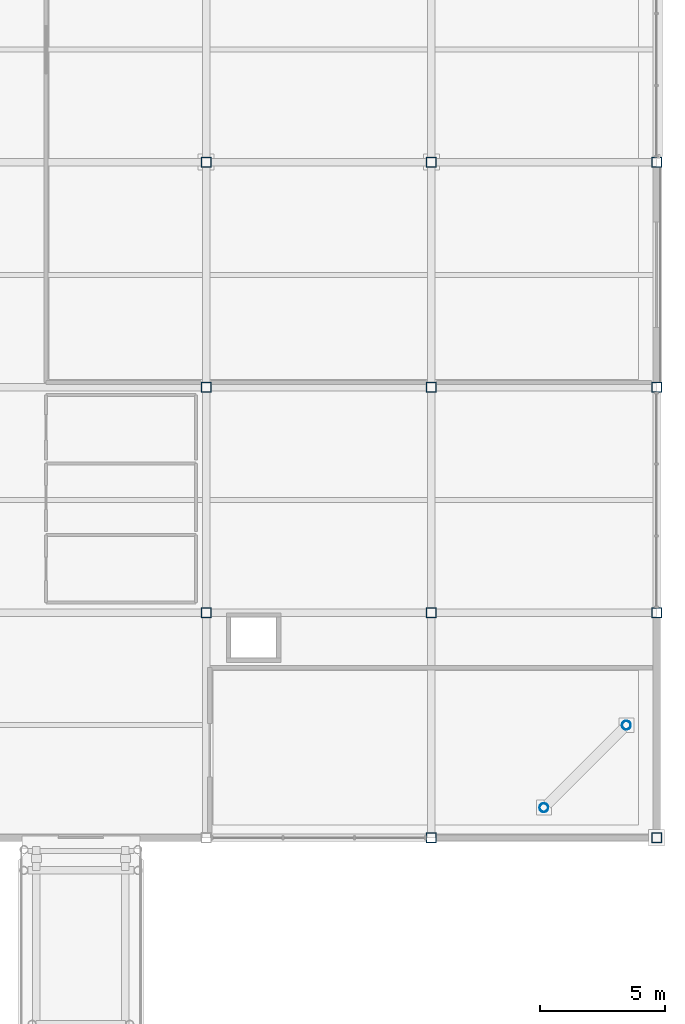
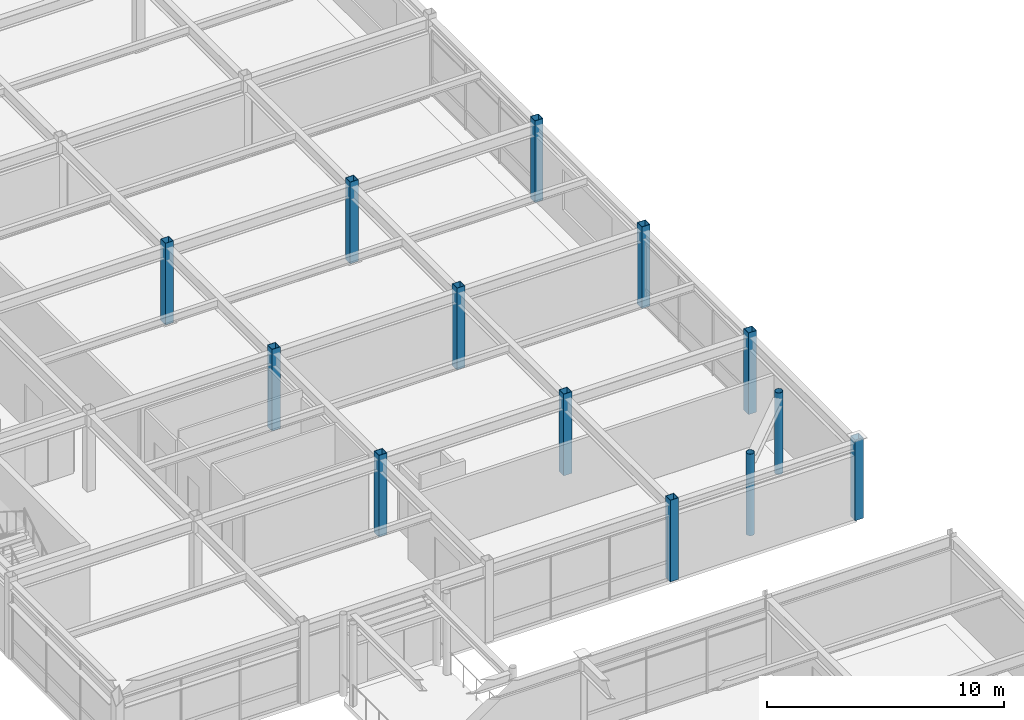
# One storey, part 13 of 70: 13 columns.
"""IFC4 building model written with IfcOpenShell, lengths in metres."""

import ifcopenshell
import ifcopenshell.guid

model = None  # the IFC model being written
_history = None  # IfcOwnerHistory: only IFC2X3 demands one
_inside = {}  # id of a spatial element -> (the spatial element, [elements in it])
_under = {}  # id of a project, library or spatial element -> (it, [spatial elements below it])
_declared = {}  # id of a project -> (the project, [libraries it declares])
_typed = {}  # id of a type object -> (the type object, [elements of that type])
_made_of = {}  # id of a material, layer set ... -> (it, [elements and type objects made of it])


def new_model(schema):
    """Start an empty IFC model of exactly this schema.

    Asked for "IFC4X3", IfcOpenShell would pick the latest addendum, in which some entities
    have other attributes; the version numbers below select the first issue.
    IFC2X3 requires an IfcOwnerHistory on every rooted entity: one is made here for all.
    """
    global model, _history
    if schema == "IFC4X3":
        model = ifcopenshell.file(schema_version=(4, 3, 0, 0))
    else:
        model = ifcopenshell.file(schema=schema)
    _inside.clear()
    _under.clear()
    _declared.clear()
    _typed.clear()
    _made_of.clear()
    _history = None
    if model.schema == "IFC2X3":
        org = make("IfcOrganization", Name="unknown")
        user = make(
            "IfcPersonAndOrganization",
            ThePerson=make("IfcPerson", FamilyName="unknown"),
            TheOrganization=org,
        )
        app = make(
            "IfcApplication",
            ApplicationDeveloper=org,
            Version="unknown",
            ApplicationFullName="unknown",
            ApplicationIdentifier="unknown",
        )
        _history = make(
            "IfcOwnerHistory",
            OwningUser=user,
            OwningApplication=app,
            ChangeAction="ADDED",
            CreationDate=0,
        )
    return model


def make(cls, **values):
    """One entity of the class cls with the attributes given. An attribute that is None is left unset."""
    return model.create_entity(
        cls, **{name: value for name, value in values.items() if value is not None}
    )


def rooted(cls, **values):
    """An entity with a GlobalId (a new one), such as an element, a storey or a relation."""
    return make(cls, GlobalId=ifcopenshell.guid.new(), OwnerHistory=_history, **values)


def si_unit(unit_type, name, prefix=None):
    """IfcSIUnit, for example si_unit("LENGTHUNIT", "METRE", prefix="MILLI")."""
    return make("IfcSIUnit", UnitType=unit_type, Prefix=prefix, Name=name)


def assignment(units):
    """IfcUnitAssignment: the units of a project."""
    return None if units is None else make("IfcUnitAssignment", Units=units)


def point(xyz):
    """IfcCartesianPoint."""
    return None if xyz is None else make("IfcCartesianPoint", Coordinates=xyz)


def direction(xyz):
    """IfcDirection."""
    return None if xyz is None else make("IfcDirection", DirectionRatios=xyz)


def frame(location, z_axis=None, x_axis=None):
    """IfcAxis2Placement3D, a coordinate frame: its origin and axes. An axis left out is left unset."""
    return make(
        "IfcAxis2Placement3D",
        Location=point(location),
        Axis=direction(z_axis),
        RefDirection=direction(x_axis),
    )


def frame_2d(location, x_axis=None):
    """IfcAxis2Placement2D, a coordinate frame in the plane: its origin and x axis."""
    return make(
        "IfcAxis2Placement2D", Location=point(location), RefDirection=direction(x_axis)
    )


def origin():
    """The frame at (0, 0, 0) with its axes left unset."""
    return frame((0.0, 0.0, 0.0))


def origin_2d():
    """The frame at (0, 0) in the plane with its x axis left unset."""
    return frame_2d((0.0, 0.0))


def place(relative_to, where):
    """IfcLocalPlacement: puts the frame where relative to a parent placement (None: the world)."""
    return make(
        "IfcLocalPlacement", PlacementRelTo=relative_to, RelativePlacement=where
    )


def context(
    kind, dimensions, precision=None, world=None, true_north=None, identifier=None
):
    """IfcGeometricRepresentationContext, for example the 3D "Model" context."""
    return make(
        "IfcGeometricRepresentationContext",
        ContextIdentifier=identifier,
        ContextType=kind,
        CoordinateSpaceDimension=dimensions,
        Precision=precision,
        WorldCoordinateSystem=world,
        TrueNorth=true_north,
    )


def subcontext(parent, identifier, kind, view, scale=None):
    """IfcGeometricRepresentationSubContext, for example "Body" below "Model"."""
    return make(
        "IfcGeometricRepresentationSubContext",
        ContextIdentifier=identifier,
        ContextType=kind,
        ParentContext=parent,
        TargetScale=scale,
        TargetView=view,
    )


def project(units=None, contexts=None):
    """IfcProject with its units and contexts."""
    return rooted(
        "IfcProject",
        Name="project",
        RepresentationContexts=contexts,
        UnitsInContext=assignment(units),
    )


def spatial(cls, under=None, at=None, **own):
    """A site, building, storey or space (cls), placed at a placement, below another one or the project."""
    s = rooted(cls, ObjectPlacement=at, **own)
    if under is not None:
        _under.setdefault(under.id(), (under, []))[1].append(s)
    return s


def profile(cls, at=None, kind="AREA", **sizes):
    """A parametric profile (cls). Its sizes go by their IFC names, for example OverallWidth=200.0."""
    return make(cls, ProfileType=kind, Position=at, **sizes)


def hollow_rectangle(**sizes):
    """IfcRectangleHollowProfileDef."""
    return profile("IfcRectangleHollowProfileDef", **sizes)


def hollow_circle(**sizes):
    """IfcCircleHollowProfileDef."""
    return profile("IfcCircleHollowProfileDef", **sizes)


def extrude(swept, where, along, depth):
    """IfcExtrudedAreaSolid: the profile swept, set in the frame where, extruded along a direction by depth."""
    return make(
        "IfcExtrudedAreaSolid",
        SweptArea=swept,
        Position=where,
        ExtrudedDirection=direction(along),
        Depth=depth,
    )


def shape(context_of_items, identifier, shape_type, items):
    """IfcShapeRepresentation: the items that make up one representation, for example the "Body"."""
    return make(
        "IfcShapeRepresentation",
        ContextOfItems=context_of_items,
        RepresentationIdentifier=identifier,
        RepresentationType=shape_type,
        Items=items,
    )


def material(Name=None, Category=None):
    """IfcMaterial."""
    return make("IfcMaterial", Name=Name, Category=Category)


def material_profile(
    of_material, cross_section, Name=None, Category=None, Priority=None
):
    """IfcMaterialProfile: a cross section and its material."""
    return make(
        "IfcMaterialProfile",
        Name=Name,
        Material=of_material,
        Profile=cross_section,
        Priority=Priority,
        Category=Category,
    )


def profile_set(profiles, Name=None, composite=None):
    """IfcMaterialProfileSet."""
    return make(
        "IfcMaterialProfileSet",
        Name=Name,
        MaterialProfiles=profiles,
        CompositeProfile=composite,
    )


def made_of(thing, what):
    """Note that an element or type object is made of a material, layer set ...; save() writes the relation."""
    if what is not None:
        _made_of.setdefault(what.id(), (what, []))[1].append(thing)
    return thing


def type_object(cls, material=None, **own):
    """A type object (cls), such as IfcWallType, which elements share."""
    return made_of(rooted(cls, **own), material)


def element(
    cls,
    number,
    at=None,
    inside=None,
    cuts=None,
    type_object=None,
    material=None,
    context=None,
    identifier="Body",
    shape_type=None,
    held_by="IfcProductDefinitionShape",
    body=None,
    shapes=None,
    **own,
):
    """One element of the class cls, such as IfcWall. Its Tag is "e" and its number.

    at: its placement. inside: the storey or other place that contains it. cuts: it is an
    opening in that element (IfcRelVoidsElement). A single representation is given by context,
    identifier, shape_type and body (its items); several are given by shapes. held_by: the class
    of the entity that holds the representations. save() writes the other relations.
    """
    e = rooted(cls, Tag="e%d" % number, ObjectPlacement=at, **own)
    if body is not None:
        shapes = [shape(context, identifier, shape_type, body)]
    if shapes is not None:
        e.Representation = make(held_by, Representations=shapes)
    if inside is not None:
        _inside.setdefault(inside.id(), (inside, []))[1].append(e)
    if cuts is not None:
        rooted(
            "IfcRelVoidsElement", RelatingBuildingElement=cuts, RelatedOpeningElement=e
        )
    if type_object is not None:
        _typed.setdefault(type_object.id(), (type_object, []))[1].append(e)
    return made_of(e, material)


def aggregate(whole, parts):
    """IfcRelAggregates: a whole, such as a stair, and the parts it consists of."""
    return rooted("IfcRelAggregates", RelatingObject=whole, RelatedObjects=parts)


def save(model, path):
    """Write the relations noted so far, then the file.

    IfcRelAggregates (storeys below a building ...), IfcRelContainedInSpatialStructure (elements
    in a storey), IfcRelDefinesByType, IfcRelAssociatesMaterial and IfcRelDeclares: one each for
    every whole, place, type object, material and project.
    """
    for whole, parts in _under.values():
        aggregate(whole, parts)
    for where, things in _inside.values():
        rooted(
            "IfcRelContainedInSpatialStructure",
            RelatedElements=things,
            RelatingStructure=where,
        )
    for kind, things in _typed.values():
        rooted("IfcRelDefinesByType", RelatedObjects=things, RelatingType=kind)
    for what, things in _made_of.values():
        rooted("IfcRelAssociatesMaterial", RelatedObjects=things, RelatingMaterial=what)
    for by, libraries in _declared.values():
        rooted("IfcRelDeclares", RelatingContext=by, RelatedDefinitions=libraries)
    model.write(path)


model = new_model("IFC4")

# Units and contexts
model_context = context("Model", 3, precision=1e-05, world=origin(), true_north=direction((0.0, 1.0)))
body_context = subcontext(model_context, "Body", "Model", "MODEL_VIEW")
ifc_project = project(units=[si_unit("LENGTHUNIT", "METRE"), si_unit("AREAUNIT", "SQUARE_METRE"), si_unit("VOLUMEUNIT", "CUBIC_METRE"), si_unit("PLANEANGLEUNIT", "RADIAN"), si_unit("MASSUNIT", "GRAM", prefix="KILO")], contexts=[model_context])

# Site, building, storey
site_placement = place(None, origin())
site = spatial("IfcSite", under=ifc_project, at=site_placement, CompositionType="ELEMENT")
building_placement = place(site_placement, origin())
building = spatial("IfcBuilding", under=site, at=building_placement, Name="Suzunagisa Mobility Hub", CompositionType="ELEMENT")
storey_placement = place(building_placement, frame((0.0, 0.0, 13.5)))
storey = spatial("IfcBuildingStorey", under=building, at=storey_placement, Name="L03", CompositionType="ELEMENT", Elevation=13.5)

# Columns
ifc_material = material(Name="Steel SN490B", Category="steel")
ifc_material_profile_1 = material_profile(ifc_material, hollow_rectangle(XDim=0.39990234375, YDim=0.39990234375, WallThickness=0.01904296875, at=origin_2d()), Name="BCR-400x400x19")
ifc_profile_set_1 = profile_set([ifc_material_profile_1], Name="Steel SN490B")
column_type_1 = type_object("IfcColumnType", Name="Steel Column CL-13 BCR-400x400x19", PredefinedType="COLUMN", material=ifc_profile_set_1)
for number, where, z_axis, x_axis, name in (
    (1, (162.0, 53.0, 0.0), (0.0, 0.0, 1.0), (1.0, 0.0, 0.0), "L03 Column 289"),
    (2, (162.0, 62.0, 0.0), (0.0, 0.0, 1.0), (1.0, 0.0, 0.0), "L03 Column 290"),
    (3, (162.0, 71.0, 0.0), (0.0, 0.0, 1.0), (1.0, 0.0, 0.0), "L03 Column 291"),
    (4, (171.0, 44.0, 0.0), (0.0, 0.0, 1.0), (1.0, 0.0, 0.0), "L03 Column 301"),
    (5, (171.0, 53.0, 0.0), (0.0, 0.0, 1.0), (1.0, 0.0, 0.0), "L03 Column 302"),
    (6, (171.0, 62.0, 0.0), (0.0, 0.0, 1.0), (1.0, 0.0, 0.0), "L03 Column 303"),
    (7, (171.0, 71.0, 0.0), (0.0, 0.0, 1.0), (1.0, 0.0, 0.0), "L03 Column 304"),
):
    element("IfcColumn", number, at=place(storey_placement, frame(where, z_axis=z_axis, x_axis=x_axis)), inside=storey, type_object=column_type_1, Name=name, PredefinedType="COLUMN", context=body_context, shape_type="SweptSolid", body=[
        extrude(hollow_rectangle(XDim=0.39990234375, YDim=0.39990234375, WallThickness=0.01904296875, at=origin_2d()), origin(), (0.0, 0.0, 1.0), 4.199951171875),
    ])
column_placement = place(storey_placement, frame((180.0, 44.0, 0.0), z_axis=(0.0, 0.0, 1.0), x_axis=(1.0, 0.0, 0.0)))
element("IfcColumn", 8, at=column_placement, inside=storey, type_object=column_type_1, Name="L03 Column 325", PredefinedType="COLUMN", context=body_context, shape_type="SweptSolid", body=[
    extrude(hollow_rectangle(XDim=0.39990234375, YDim=0.39990234375, WallThickness=0.01904296875, at=origin_2d()), origin(), (0.0, 0.0, 1.0), 4.139892578125),
])
for number, where, z_axis, x_axis, name in (
    (9, (180.0, 53.0, 0.0), (0.0, 0.0, 1.0), (1.0, 0.0, 0.0), "L03 Column 326"),
    (10, (180.0, 62.0, 0.0), (0.0, 0.0, 1.0), (1.0, 0.0, 0.0), "L03 Column 327"),
    (11, (180.0, 71.0, 0.0), (0.0, 0.0, 1.0), (1.0, 0.0, 0.0), "L03 Column 328"),
):
    element("IfcColumn", number, at=place(storey_placement, frame(where, z_axis=z_axis, x_axis=x_axis)), inside=storey, type_object=column_type_1, Name=name, PredefinedType="COLUMN", context=body_context, shape_type="SweptSolid", body=[
        extrude(hollow_rectangle(XDim=0.39990234375, YDim=0.39990234375, WallThickness=0.01904296875, at=origin_2d()), origin(), (0.0, 0.0, 1.0), 4.199951171875),
    ])
ifc_material_profile_2 = material_profile(ifc_material, hollow_circle(Radius=0.177734375, WallThickness=0.0126953125, at=origin_2d()), Name="CHS-355.6x12.7")
ifc_profile_set_2 = profile_set([ifc_material_profile_2], Name="Steel SN490B")
column_type_2 = type_object("IfcColumnType", Name="Steel Column CL-18 CHS-355.6x12.7", PredefinedType="COLUMN", material=ifc_profile_set_2)
for number, where, z_axis, x_axis, name in (
    (12, (175.5, 45.205810546875, 0.0), (0.0, 0.0, 1.0), (1.0, 0.0, 0.0), "L03 Column 312"),
    (13, (178.794189453125, 48.5, 0.0), (0.0, 0.0, 1.0), (1.0, 0.0, 0.0), "L03 Column 318"),
):
    element("IfcColumn", number, at=place(storey_placement, frame(where, z_axis=z_axis, x_axis=x_axis)), inside=storey, type_object=column_type_2, Name=name, PredefinedType="COLUMN", context=body_context, shape_type="SweptSolid", body=[
        extrude(hollow_circle(Radius=0.177734375, WallThickness=0.0126953125, at=origin_2d()), origin(), (0.0, 0.0, 1.0), 4.199951171875),
    ])

save(model, "model.ifc")
